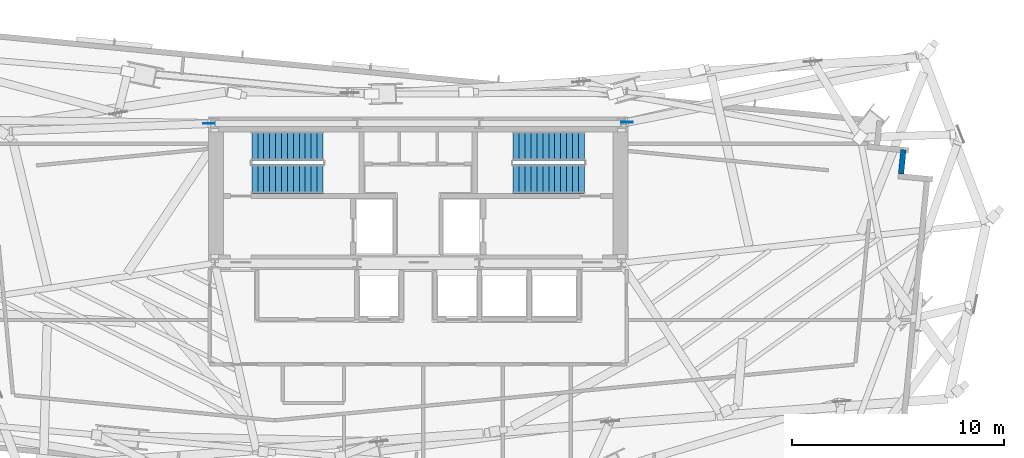
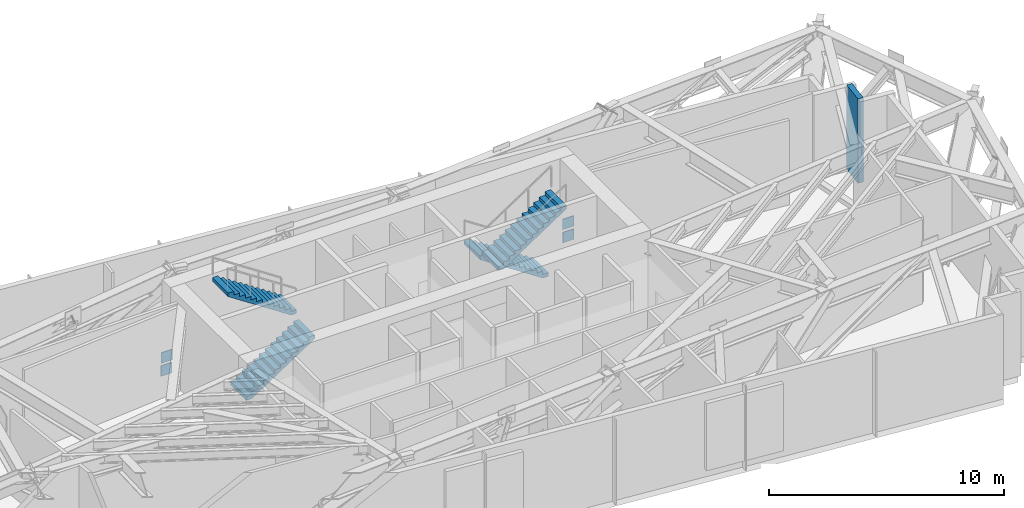
# One storey, part 8 of 10: 4 discrete accessories, 4 stair flights, 1 wall, 2 elements without a shape of their own.
"""IFC4 building model written with IfcOpenShell, lengths in metres."""

from ifc_helpers import new_model, si_unit, direction, frame, frame_2d, origin, origin_2d, place, context, subcontext, project, spatial, polyline, rectangle, outline, extrude, source, transform, mapped, material, layer, layer_set, type_object, type_shapes, element, aggregate, save


model = new_model("IFC4")

# Units and contexts
model_context = context("Model", 3, precision=1e-05, world=origin(), true_north=direction((0.0, 1.0)))
body_context = subcontext(model_context, "Body", "Model", "MODEL_VIEW")
ifc_project = project(units=[si_unit("LENGTHUNIT", "METRE"), si_unit("AREAUNIT", "SQUARE_METRE"), si_unit("VOLUMEUNIT", "CUBIC_METRE"), si_unit("PLANEANGLEUNIT", "RADIAN"), si_unit("MASSUNIT", "GRAM", prefix="KILO")], contexts=[model_context])

# Site, building, storey
site_placement = place(None, origin())
site = spatial("IfcSite", under=ifc_project, at=site_placement, CompositionType="ELEMENT")
building_placement = place(site_placement, origin())
building = spatial("IfcBuilding", under=site, at=building_placement, Name="Astriad Promenade Condominiums", CompositionType="ELEMENT")
storey_placement = place(building_placement, frame((0.0, 0.0, 163.0)))
storey = spatial("IfcBuildingStorey", under=building, at=storey_placement, Name="L47", CompositionType="ELEMENT", Elevation=163.0)

# Wall
ifc_material_1 = material(Name="Precast concrete C50/60", Category="concrete")
ifc_layer = layer(ifc_material_1, 0.260009765625)
ifc_layer_set = layer_set([ifc_layer], Name="Precast concrete C50/60")
wall_type = type_object("IfcWallType", Name="WALL-EXT-TWR-260", PredefinedType="STANDARD", material=ifc_layer_set)
wall_placement = place(storey_placement, frame((58.91162109375, 22.759765625, 0.0), z_axis=(0.0, 0.0, 1.0), x_axis=(-0.095951054827, -0.995386053287, 0.0)))
element("IfcWall", 1, at=wall_placement, inside=storey, type_object=wall_type, Name="W-SER-L47-11", PredefinedType="STANDARD", context=body_context, shape_type="SweptSolid", body=[
    extrude(rectangle(XDim=1.150146484375, YDim=0.260009765625, at=frame_2d((0.5751953125, 0.0))), origin(), (0.0, 0.0, 1.0), 4.3798828125),
])

# Stair, stair flights
ifc_material_2 = material(Name="Concrete C50/60", Category="concrete")
stair_type = type_object("IfcStairType", Name="STR-CORE-1350", PredefinedType="HALF_TURN_STAIR", material=ifc_material_2)
stair_1_placement = place(storey_placement, origin())
stair_1 = element("IfcStair", 2, at=stair_1_placement, inside=storey, type_object=stair_type, Name="L47 Enclosed Core Exit Stair ST-1", PredefinedType="HALF_TURN_STAIR")
stair_flight_type = type_object("IfcStairFlightType", Name="SFL-CORE-1350", PredefinedType="STRAIGHT", material=ifc_material_2)
shared_shape_1 = source(origin(), body_context, "Body", "SweptSolid", [
    extrude(outline(polyline([(0.0, 0.0), (0.0, 0.1845703125), (0.280029296875, 0.1845703125), (0.280029296875, 0.369140625), (0.56005859375, 0.369140625), (0.56005859375, 0.553955078125), (0.840087890625, 0.553955078125), (0.840087890625, 0.738525390625), (1.1201171875, 0.738525390625), (1.1201171875, 0.923095703125), (1.39990234375, 0.923095703125), (1.39990234375, 1.107666015625), (1.679931640625, 1.107666015625), (1.679931640625, 1.292236328125), (1.9599609375, 1.292236328125), (1.9599609375, 1.476806640625), (2.239990234375, 1.476806640625), (2.239990234375, 1.66162109375), (2.52001953125, 1.66162109375), (2.52001953125, 1.84619140625), (2.800048828125, 1.84619140625), (2.800048828125, 2.03076171875), (3.080078125, 2.03076171875), (3.080078125, 2.21533203125), (3.360107421875, 2.21533203125), (3.360107421875, 2.39990234375), (3.360107421875, 2.035888671875), (0.272216796875, 0.0), (0.0, 0.0)])), frame((0.0, 0.675048828125, 0.0), z_axis=(0.0, -1.0, 0.0), x_axis=(1.0, 0.0, 0.0)), (0.0, 0.0, 1.0), 1.35009765625),
])
type_shapes(stair_flight_type, [shared_shape_1])
stair_flight_1_placement = place(storey_placement, frame((28.14990234375, 21.375, 0.0), z_axis=(0.0, 0.0, 1.0), x_axis=(1.0, 0.0, 0.0)))
stair_flight_1 = element("IfcStairFlight", 3, at=stair_flight_1_placement, type_object=stair_flight_type, Name="ST-1 flight 1", NumberOfRisers=13, NumberOfTreads=12, PredefinedType="STRAIGHT", RiserHeight=0.184615385, TreadLength=0.28, context=body_context, shape_type="MappedRepresentation", body=[
    mapped(shared_shape_1, transform((0.0, 0.0, 0.0), scale=1.0)),
])
stair_flight_2_placement = place(storey_placement, frame((31.510009765625, 22.925048828125, 2.39990234375), z_axis=(0.0, 0.0, 1.0), x_axis=(-1.0, 0.0, 0.0)))
stair_flight_2 = element("IfcStairFlight", 4, at=stair_flight_2_placement, type_object=stair_flight_type, Name="ST-1 flight 2", NumberOfRisers=13, NumberOfTreads=12, PredefinedType="STRAIGHT", RiserHeight=0.184615385, TreadLength=0.28, context=body_context, shape_type="MappedRepresentation", body=[
    mapped(shared_shape_1, transform((0.0, 0.0, 0.0), scale=1.0)),
])
aggregate(stair_1, [stair_flight_1, stair_flight_2])

stair_2_placement = place(storey_placement, origin())
stair_2 = element("IfcStair", 5, at=stair_2_placement, inside=storey, type_object=stair_type, Name="L47 Enclosed Core Exit Stair ST-2", PredefinedType="HALF_TURN_STAIR")
stair_flight_3_placement = place(storey_placement, frame((43.85009765625, 22.925048828125, 0.0), z_axis=(0.0, 0.0, 1.0), x_axis=(-1.0, 0.0, 0.0)))
stair_flight_3 = element("IfcStairFlight", 6, at=stair_flight_3_placement, type_object=stair_flight_type, Name="ST-2 flight 1", NumberOfRisers=13, NumberOfTreads=12, PredefinedType="STRAIGHT", RiserHeight=0.184615385, TreadLength=0.28, context=body_context, shape_type="MappedRepresentation", body=[
    mapped(shared_shape_1, transform((0.0, 0.0, 0.0), scale=1.0)),
])
stair_flight_4_placement = place(storey_placement, frame((40.489990234375, 21.375, 2.39990234375), z_axis=(0.0, 0.0, 1.0), x_axis=(1.0, 0.0, 0.0)))
stair_flight_4 = element("IfcStairFlight", 7, at=stair_flight_4_placement, type_object=stair_flight_type, Name="ST-2 flight 2", NumberOfRisers=13, NumberOfTreads=12, PredefinedType="STRAIGHT", RiserHeight=0.184615385, TreadLength=0.28, context=body_context, shape_type="MappedRepresentation", body=[
    mapped(shared_shape_1, transform((0.0, 0.0, 0.0), scale=1.0)),
])
aggregate(stair_2, [stair_flight_3, stair_flight_4])

# Discrete accessories
ifc_material_3 = material(Name="Steel ASTM A572 Grade 50", Category="steel")
discrete_accessory_type = type_object("IfcDiscreteAccessoryType", Name="CAST IN CORE WALL EMBED PLATE 30", PredefinedType="USERDEFINED", material=ifc_material_3)
shared_shape_2 = source(origin(), body_context, "Body", "SweptSolid", [
    extrude(rectangle(XDim=0.550048828125, YDim=0.030029296875, at=origin_2d()), origin(), (0.0, 0.0, 1.0), 0.550048828125),
])
type_shapes(discrete_accessory_type, [shared_shape_2])
for number, where, z_axis, x_axis, name in (
    (8, (26.13232421875, 24.00390625, 0.04736328125), (0.0, 0.0, 1.0), (1.0, 0.0, 0.0), "Cast-In Core Wall Embed Plate EP-OUT-L47-01A"),
    (9, (26.13330078125, 23.989990234375, 0.72998046875), (0.0, 0.0, 1.0), (1.0, 0.0, 0.0), "Cast-In Core Wall Embed Plate EP-OUT-L47-01B"),
    (10, (45.867431640625, 24.052978515625, 0.02880859375), (0.0, 0.0, 1.0), (1.0, 0.0, 0.0), "Cast-In Core Wall Embed Plate EP-OUT-L47-02A"),
    (11, (45.86669921875, 24.061767578125, 0.70458984375), (0.0, 0.0, 1.0), (1.0, 0.0, 0.0), "Cast-In Core Wall Embed Plate EP-OUT-L47-02B"),
):
    element("IfcDiscreteAccessory", number, at=place(storey_placement, frame(where, z_axis=z_axis, x_axis=x_axis)), inside=storey, type_object=discrete_accessory_type, Name=name, ObjectType="EMBED_PLATE", PredefinedType="USERDEFINED", context=body_context, shape_type="MappedRepresentation", body=[
        mapped(shared_shape_2, transform((0.0, 0.0, 0.0), scale=1.0)),
    ])

save(model, "model.ifc")
